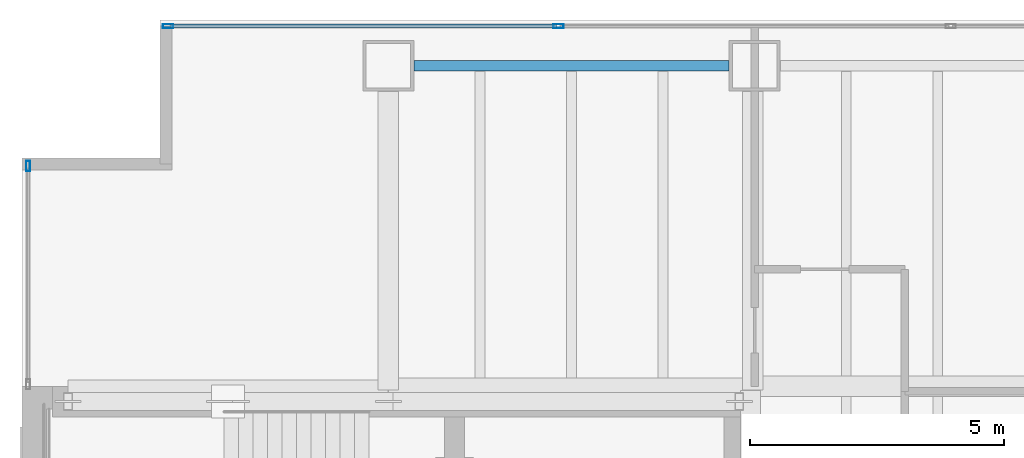
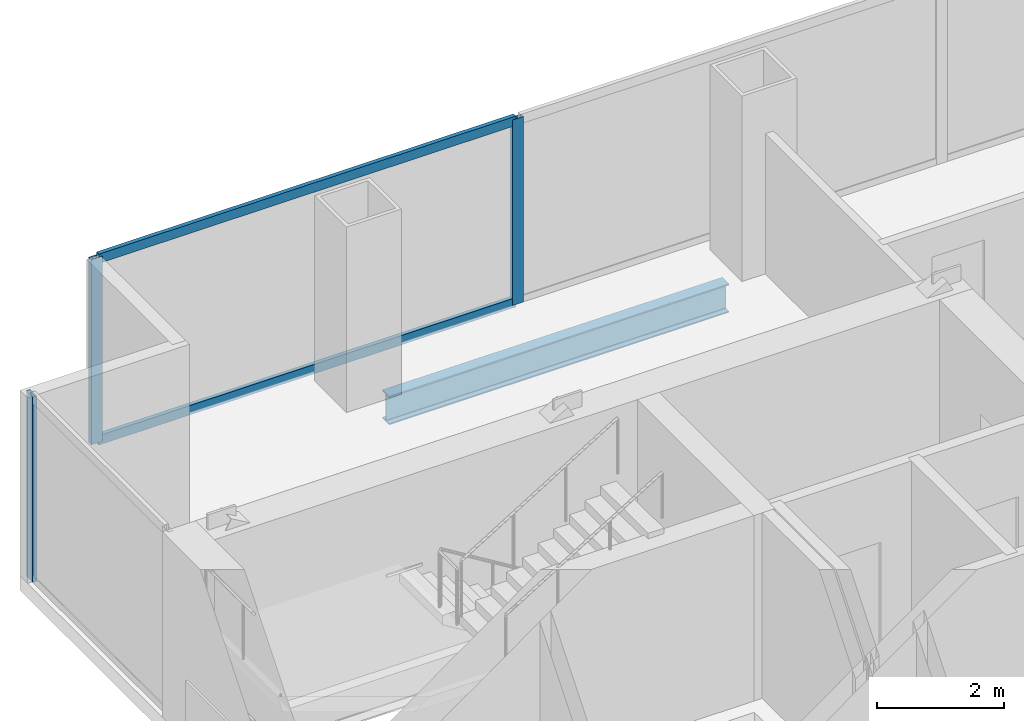
# One storey, part 16 of 25: 5 members, 1 beam, 2 elements without a shape of their own.
"""IFC4 building model written with IfcOpenShell, lengths in metres."""

import ifcopenshell
import ifcopenshell.guid

model = None  # the IFC model being written
_history = None  # IfcOwnerHistory: only IFC2X3 demands one
_inside = {}  # id of a spatial element -> (the spatial element, [elements in it])
_under = {}  # id of a project, library or spatial element -> (it, [spatial elements below it])
_declared = {}  # id of a project -> (the project, [libraries it declares])
_typed = {}  # id of a type object -> (the type object, [elements of that type])
_made_of = {}  # id of a material, layer set ... -> (it, [elements and type objects made of it])


def new_model(schema):
    """Start an empty IFC model of exactly this schema.

    Asked for "IFC4X3", IfcOpenShell would pick the latest addendum, in which some entities
    have other attributes; the version numbers below select the first issue.
    IFC2X3 requires an IfcOwnerHistory on every rooted entity: one is made here for all.
    """
    global model, _history
    if schema == "IFC4X3":
        model = ifcopenshell.file(schema_version=(4, 3, 0, 0))
    else:
        model = ifcopenshell.file(schema=schema)
    _inside.clear()
    _under.clear()
    _declared.clear()
    _typed.clear()
    _made_of.clear()
    _history = None
    if model.schema == "IFC2X3":
        org = make("IfcOrganization", Name="unknown")
        user = make(
            "IfcPersonAndOrganization",
            ThePerson=make("IfcPerson", FamilyName="unknown"),
            TheOrganization=org,
        )
        app = make(
            "IfcApplication",
            ApplicationDeveloper=org,
            Version="unknown",
            ApplicationFullName="unknown",
            ApplicationIdentifier="unknown",
        )
        _history = make(
            "IfcOwnerHistory",
            OwningUser=user,
            OwningApplication=app,
            ChangeAction="ADDED",
            CreationDate=0,
        )
    return model


def make(cls, **values):
    """One entity of the class cls with the attributes given. An attribute that is None is left unset."""
    return model.create_entity(
        cls, **{name: value for name, value in values.items() if value is not None}
    )


def rooted(cls, **values):
    """An entity with a GlobalId (a new one), such as an element, a storey or a relation."""
    return make(cls, GlobalId=ifcopenshell.guid.new(), OwnerHistory=_history, **values)


def si_unit(unit_type, name, prefix=None):
    """IfcSIUnit, for example si_unit("LENGTHUNIT", "METRE", prefix="MILLI")."""
    return make("IfcSIUnit", UnitType=unit_type, Prefix=prefix, Name=name)


def assignment(units):
    """IfcUnitAssignment: the units of a project."""
    return None if units is None else make("IfcUnitAssignment", Units=units)


def point(xyz):
    """IfcCartesianPoint."""
    return None if xyz is None else make("IfcCartesianPoint", Coordinates=xyz)


def direction(xyz):
    """IfcDirection."""
    return None if xyz is None else make("IfcDirection", DirectionRatios=xyz)


def frame(location, z_axis=None, x_axis=None):
    """IfcAxis2Placement3D, a coordinate frame: its origin and axes. An axis left out is left unset."""
    return make(
        "IfcAxis2Placement3D",
        Location=point(location),
        Axis=direction(z_axis),
        RefDirection=direction(x_axis),
    )


def frame_2d(location, x_axis=None):
    """IfcAxis2Placement2D, a coordinate frame in the plane: its origin and x axis."""
    return make(
        "IfcAxis2Placement2D", Location=point(location), RefDirection=direction(x_axis)
    )


def origin():
    """The frame at (0, 0, 0) with its axes left unset."""
    return frame((0.0, 0.0, 0.0))


def origin_2d():
    """The frame at (0, 0) in the plane with its x axis left unset."""
    return frame_2d((0.0, 0.0))


def place(relative_to, where):
    """IfcLocalPlacement: puts the frame where relative to a parent placement (None: the world)."""
    return make(
        "IfcLocalPlacement", PlacementRelTo=relative_to, RelativePlacement=where
    )


def context(
    kind, dimensions, precision=None, world=None, true_north=None, identifier=None
):
    """IfcGeometricRepresentationContext, for example the 3D "Model" context."""
    return make(
        "IfcGeometricRepresentationContext",
        ContextIdentifier=identifier,
        ContextType=kind,
        CoordinateSpaceDimension=dimensions,
        Precision=precision,
        WorldCoordinateSystem=world,
        TrueNorth=true_north,
    )


def subcontext(parent, identifier, kind, view, scale=None):
    """IfcGeometricRepresentationSubContext, for example "Body" below "Model"."""
    return make(
        "IfcGeometricRepresentationSubContext",
        ContextIdentifier=identifier,
        ContextType=kind,
        ParentContext=parent,
        TargetScale=scale,
        TargetView=view,
    )


def project(units=None, contexts=None):
    """IfcProject with its units and contexts."""
    return rooted(
        "IfcProject",
        Name="project",
        RepresentationContexts=contexts,
        UnitsInContext=assignment(units),
    )


def spatial(cls, under=None, at=None, **own):
    """A site, building, storey or space (cls), placed at a placement, below another one or the project."""
    s = rooted(cls, ObjectPlacement=at, **own)
    if under is not None:
        _under.setdefault(under.id(), (under, []))[1].append(s)
    return s


def profile(cls, at=None, kind="AREA", **sizes):
    """A parametric profile (cls). Its sizes go by their IFC names, for example OverallWidth=200.0."""
    return make(cls, ProfileType=kind, Position=at, **sizes)


def hollow_rectangle(**sizes):
    """IfcRectangleHollowProfileDef."""
    return profile("IfcRectangleHollowProfileDef", **sizes)


def i_section(**sizes):
    """IfcIShapeProfileDef."""
    return profile("IfcIShapeProfileDef", **sizes)


def extrude(swept, where, along, depth):
    """IfcExtrudedAreaSolid: the profile swept, set in the frame where, extruded along a direction by depth."""
    return make(
        "IfcExtrudedAreaSolid",
        SweptArea=swept,
        Position=where,
        ExtrudedDirection=direction(along),
        Depth=depth,
    )


def shape(context_of_items, identifier, shape_type, items):
    """IfcShapeRepresentation: the items that make up one representation, for example the "Body"."""
    return make(
        "IfcShapeRepresentation",
        ContextOfItems=context_of_items,
        RepresentationIdentifier=identifier,
        RepresentationType=shape_type,
        Items=items,
    )


def material(Name=None, Category=None):
    """IfcMaterial."""
    return make("IfcMaterial", Name=Name, Category=Category)


def material_profile(
    of_material, cross_section, Name=None, Category=None, Priority=None
):
    """IfcMaterialProfile: a cross section and its material."""
    return make(
        "IfcMaterialProfile",
        Name=Name,
        Material=of_material,
        Profile=cross_section,
        Priority=Priority,
        Category=Category,
    )


def profile_set(profiles, Name=None, composite=None):
    """IfcMaterialProfileSet."""
    return make(
        "IfcMaterialProfileSet",
        Name=Name,
        MaterialProfiles=profiles,
        CompositeProfile=composite,
    )


def made_of(thing, what):
    """Note that an element or type object is made of a material, layer set ...; save() writes the relation."""
    if what is not None:
        _made_of.setdefault(what.id(), (what, []))[1].append(thing)
    return thing


def type_object(cls, material=None, **own):
    """A type object (cls), such as IfcWallType, which elements share."""
    return made_of(rooted(cls, **own), material)


def element(
    cls,
    number,
    at=None,
    inside=None,
    cuts=None,
    type_object=None,
    material=None,
    context=None,
    identifier="Body",
    shape_type=None,
    held_by="IfcProductDefinitionShape",
    body=None,
    shapes=None,
    **own,
):
    """One element of the class cls, such as IfcWall. Its Tag is "e" and its number.

    at: its placement. inside: the storey or other place that contains it. cuts: it is an
    opening in that element (IfcRelVoidsElement). A single representation is given by context,
    identifier, shape_type and body (its items); several are given by shapes. held_by: the class
    of the entity that holds the representations. save() writes the other relations.
    """
    e = rooted(cls, Tag="e%d" % number, ObjectPlacement=at, **own)
    if body is not None:
        shapes = [shape(context, identifier, shape_type, body)]
    if shapes is not None:
        e.Representation = make(held_by, Representations=shapes)
    if inside is not None:
        _inside.setdefault(inside.id(), (inside, []))[1].append(e)
    if cuts is not None:
        rooted(
            "IfcRelVoidsElement", RelatingBuildingElement=cuts, RelatedOpeningElement=e
        )
    if type_object is not None:
        _typed.setdefault(type_object.id(), (type_object, []))[1].append(e)
    return made_of(e, material)


def aggregate(whole, parts):
    """IfcRelAggregates: a whole, such as a stair, and the parts it consists of."""
    return rooted("IfcRelAggregates", RelatingObject=whole, RelatedObjects=parts)


def save(model, path):
    """Write the relations noted so far, then the file.

    IfcRelAggregates (storeys below a building ...), IfcRelContainedInSpatialStructure (elements
    in a storey), IfcRelDefinesByType, IfcRelAssociatesMaterial and IfcRelDeclares: one each for
    every whole, place, type object, material and project.
    """
    for whole, parts in _under.values():
        aggregate(whole, parts)
    for where, things in _inside.values():
        rooted(
            "IfcRelContainedInSpatialStructure",
            RelatedElements=things,
            RelatingStructure=where,
        )
    for kind, things in _typed.values():
        rooted("IfcRelDefinesByType", RelatedObjects=things, RelatingType=kind)
    for what, things in _made_of.values():
        rooted("IfcRelAssociatesMaterial", RelatedObjects=things, RelatingMaterial=what)
    for by, libraries in _declared.values():
        rooted("IfcRelDeclares", RelatingContext=by, RelatedDefinitions=libraries)
    model.write(path)


model = new_model("IFC4")

# Units and contexts
model_context = context("Model", 3, precision=1e-05, world=origin(), true_north=direction((0.0, 1.0)))
body_context = subcontext(model_context, "Body", "Model", "MODEL_VIEW")
ifc_project = project(units=[si_unit("LENGTHUNIT", "METRE"), si_unit("AREAUNIT", "SQUARE_METRE"), si_unit("VOLUMEUNIT", "CUBIC_METRE"), si_unit("PLANEANGLEUNIT", "RADIAN"), si_unit("MASSUNIT", "GRAM", prefix="KILO")], contexts=[model_context])

# Site, building, storey
site_placement = place(None, origin())
site = spatial("IfcSite", under=ifc_project, at=site_placement, CompositionType="ELEMENT")
building_placement = place(site_placement, origin())
building = spatial("IfcBuilding", under=site, at=building_placement, Name="Cobrela Telecom Tower", CompositionType="ELEMENT")
storey_placement = place(building_placement, frame((0.0, 0.0, 61.949951171875)))
storey = spatial("IfcBuildingStorey", under=building, at=storey_placement, Name="L15", CompositionType="ELEMENT", Elevation=61.949951171875)

# Beam
ifc_material_1 = material(Name="Steel ASTM A992 Grade 50", Category="steel")
ifc_material_profile_1 = material_profile(ifc_material_1, i_section(OverallWidth=0.212890625, OverallDepth=0.549072265625, WebThickness=0.0146484375, FlangeThickness=0.023681640625, FilletRadius=0.013916015625, at=origin_2d()), Name="W21X93")
ifc_profile_set_1 = profile_set([ifc_material_profile_1], Name="Steel ASTM A992 Grade 50")
beam_type = type_object("IfcBeamType", Name="BM-SPAND-03", PredefinedType="SPANDREL", material=ifc_profile_set_1)
beam_placement = place(storey_placement, frame((7.705078125, 42.300048828125, -0.554443359375), z_axis=(1.0, 0.0, 0.0), x_axis=(0.0, 1.0, 0.0)))
element("IfcBeam", 1, at=beam_placement, inside=storey, type_object=beam_type, Name="L15 Perimeter Spandrel X29", PredefinedType="SPANDREL", context=body_context, shape_type="SweptSolid", body=[
    extrude(i_section(OverallWidth=0.212890625, OverallDepth=0.549072265625, WebThickness=0.0146484375, FlangeThickness=0.023681640625, FilletRadius=0.013916015625, at=origin_2d()), origin(), (0.0, 0.0, 1.0), 6.18994140625),
])

# Curtain wall, member
ifc_material_2 = material(Name="Anodized Bronze Aluminium 6063-T6", Category="aluminium")
curtain_wall_type = type_object("IfcCurtainWallType", Name="CW-SYS-DATA", PredefinedType="USERDEFINED", material=ifc_material_2)
curtain_wall_1_placement = place(storey_placement, origin())
curtain_wall_1 = element("IfcCurtainWall", 2, at=curtain_wall_1_placement, inside=storey, type_object=curtain_wall_type, Name="L15 Unitised Bronze Curtain Wall 04", ObjectType="UNITISED CURTAIN WALL", PredefinedType="USERDEFINED")
ifc_material_profile_2 = material_profile(ifc_material_2, hollow_rectangle(XDim=0.080078125, YDim=0.199951171875, WallThickness=0.00390625, at=origin_2d()), Name="ALU 80x200x4")
ifc_profile_set_2 = profile_set([ifc_material_profile_2], Name="Anodized Bronze Aluminium 6063-T6")
member_type_1 = type_object("IfcMemberType", Name="CW-SYS-DATA-MUL", PredefinedType="MULLION", material=ifc_profile_set_2)
member_1_placement = place(storey_placement, frame((0.1201171875, 40.330078125, 0.0), z_axis=(0.0, 0.0, 1.0), x_axis=(-1.0, 0.0, 0.0)))
member_1 = element("IfcMember", 3, at=member_1_placement, type_object=member_type_1, Name="CW-DATA mullion 2", PredefinedType="MULLION", context=body_context, shape_type="SweptSolid", body=[
    extrude(hollow_rectangle(XDim=0.080078125, YDim=0.199951171875, WallThickness=0.00390625, at=origin_2d()), origin(), (0.0, 0.0, 1.0), 3.570068359375),
])
aggregate(curtain_wall_1, [member_1])

# Curtain wall, members
curtain_wall_2_placement = place(storey_placement, origin())
curtain_wall_2 = element("IfcCurtainWall", 4, at=curtain_wall_2_placement, inside=storey, type_object=curtain_wall_type, Name="L15 Unitised Bronze Curtain Wall 07", ObjectType="UNITISED CURTAIN WALL", PredefinedType="USERDEFINED")
member_2_placement = place(storey_placement, frame((2.8701171875, 43.080078125, 0.0), z_axis=(0.0, 0.0, 1.0), x_axis=(0.0, 1.0, 0.0)))
member_2 = element("IfcMember", 5, at=member_2_placement, type_object=member_type_1, Name="CW-DATA mullion 1", PredefinedType="MULLION", context=body_context, shape_type="SweptSolid", body=[
    extrude(hollow_rectangle(XDim=0.080078125, YDim=0.199951171875, WallThickness=0.00390625, at=origin_2d()), origin(), (0.0, 0.0, 1.0), 3.570068359375),
])
member_3_placement = place(storey_placement, frame((10.543212890625, 43.080078125, 0.0), z_axis=(0.0, 0.0, 1.0), x_axis=(0.0, 1.0, 0.0)))
member_3 = element("IfcMember", 6, at=member_3_placement, type_object=member_type_1, Name="CW-DATA mullion 2", PredefinedType="MULLION", context=body_context, shape_type="SweptSolid", body=[
    extrude(hollow_rectangle(XDim=0.080078125, YDim=0.199951171875, WallThickness=0.00390625, at=origin_2d()), origin(), (0.0, 0.0, 1.0), 3.570068359375),
])
ifc_material_profile_3 = material_profile(ifc_material_2, hollow_rectangle(XDim=0.074951171875, YDim=0.179931640625, WallThickness=0.00390625, at=origin_2d()), Name="ALU 75x180x4")
ifc_profile_set_3 = profile_set([ifc_material_profile_3], Name="Anodized Bronze Aluminium 6063-T6")
member_type_2 = type_object("IfcMemberType", Name="CW-SYS-DATA-TRN", PredefinedType="USERDEFINED", material=ifc_profile_set_3)
member_4_placement = place(storey_placement, frame((2.909912109375, 43.080078125, 0.03759765625), z_axis=(1.0, 0.0, 0.0), x_axis=(0.0, 1.0, 0.0)))
member_4 = element("IfcMember", 7, at=member_4_placement, type_object=member_type_2, Name="CW-DATA transom 1.1", ObjectType="TRANSOM", PredefinedType="USERDEFINED", context=body_context, shape_type="SweptSolid", body=[
    extrude(hollow_rectangle(XDim=0.074951171875, YDim=0.179931640625, WallThickness=0.00390625, at=origin_2d()), origin(), (0.0, 0.0, 1.0), 7.593505859375),
])
member_5_placement = place(storey_placement, frame((2.909912109375, 43.080078125, 3.532470703125), z_axis=(1.0, 0.0, 0.0), x_axis=(0.0, 1.0, 0.0)))
member_5 = element("IfcMember", 8, at=member_5_placement, type_object=member_type_2, Name="CW-DATA transom 1.2", ObjectType="TRANSOM", PredefinedType="USERDEFINED", context=body_context, shape_type="SweptSolid", body=[
    extrude(hollow_rectangle(XDim=0.074951171875, YDim=0.179931640625, WallThickness=0.00390625, at=origin_2d()), origin(), (0.0, 0.0, 1.0), 7.593505859375),
])
aggregate(curtain_wall_2, [member_2, member_3, member_4, member_5])

save(model, "model.ifc")
